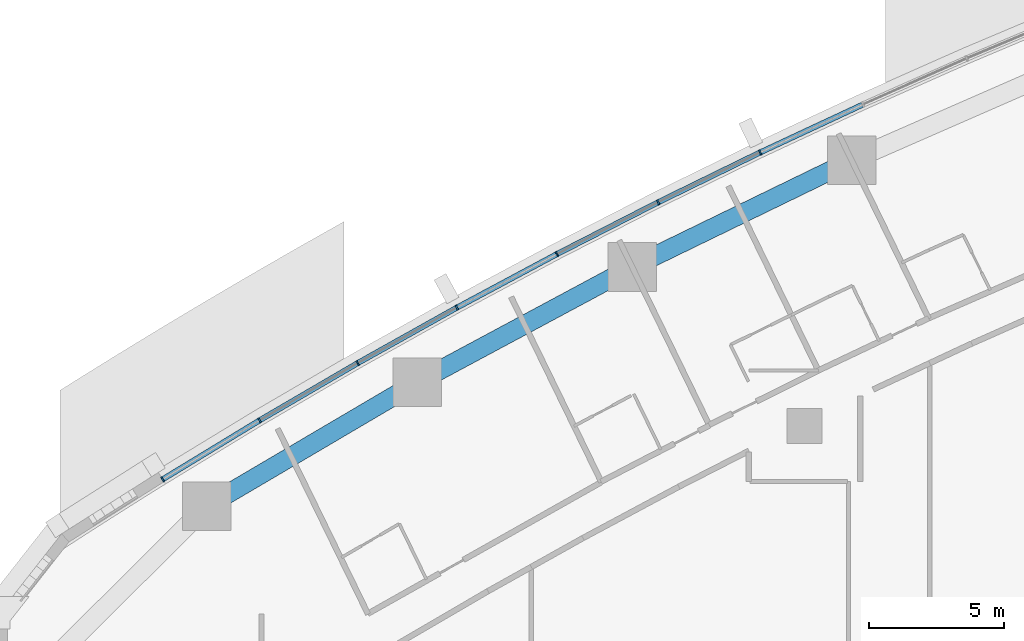
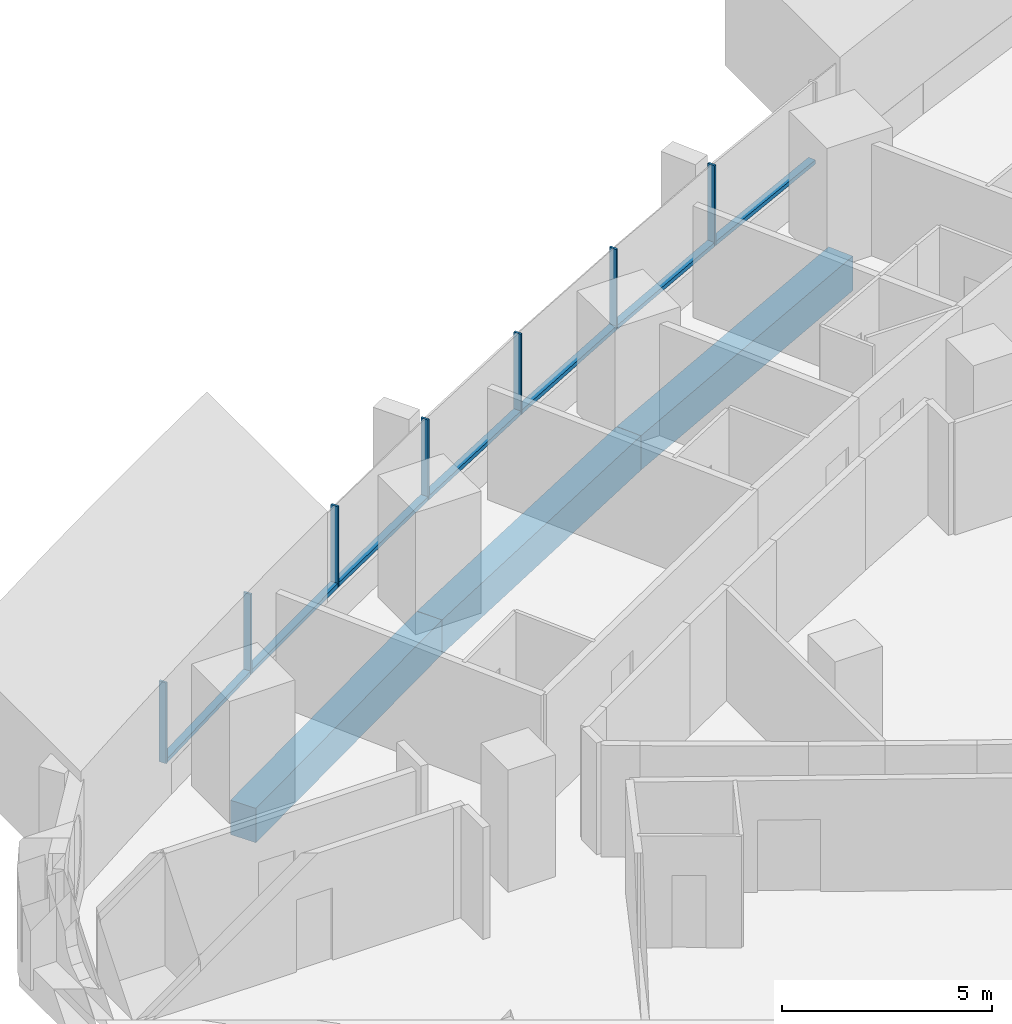
# One storey, part 5 of 19: 14 members, 3 beams, 3 elements without a shape of their own.
"""IFC4 building model written with IfcOpenShell, lengths in metres."""

from ifc_helpers import new_model, si_unit, direction, frame, origin, origin_2d, place, context, subcontext, project, spatial, rectangle, extrude, material, layer, layer_set, material_profile, profile_set, type_object, element, aggregate, save


model = new_model("IFC4")

# Units and contexts
model_context = context("Model", 3, precision=1e-05, world=origin(), true_north=direction((0.0, 1.0)))
body_context = subcontext(model_context, "Body", "Model", "MODEL_VIEW")
ifc_project = project(units=[si_unit("LENGTHUNIT", "METRE"), si_unit("AREAUNIT", "SQUARE_METRE"), si_unit("VOLUMEUNIT", "CUBIC_METRE"), si_unit("PLANEANGLEUNIT", "RADIAN"), si_unit("MASSUNIT", "GRAM", prefix="KILO")], contexts=[model_context])

# Site, building, storey
site_placement = place(None, origin())
site = spatial("IfcSite", under=ifc_project, at=site_placement, CompositionType="ELEMENT")
building_placement = place(site_placement, origin())
building = spatial("IfcBuilding", under=site, at=building_placement, Name="Ostrand Prow Hotel Tower", CompositionType="ELEMENT")
storey_placement = place(building_placement, frame((0.0, 0.0, 39.60009765625)))
storey = spatial("IfcBuildingStorey", under=building, at=storey_placement, Name="L07", CompositionType="ELEMENT", Elevation=39.60009765625)

# Beams
ifc_material_1 = material(Name="Concrete C80/95", Category="concrete")
ifc_material_profile_1 = material_profile(ifc_material_1, rectangle(XDim=0.699951171875, YDim=1.0, at=origin_2d()), Name="RC 700x1000")
ifc_profile_set_1 = profile_set([ifc_material_profile_1], Name="Concrete C80/95")
beam_type = type_object("IfcBeamType", Name="Edge beam 700x1000 C80/95", PredefinedType="SPANDREL", material=ifc_profile_set_1)
beam_1_placement = place(storey_placement, frame((35.7412109375, 18.814208984375, -0.800048828125), z_axis=(-0.899382499202, -0.437162578601, 0.0), x_axis=(0.437162578601, -0.899382499202, 0.0)))
element("IfcBeam", 1, at=beam_1_placement, inside=storey, type_object=beam_type, Name="Edge beam N3-N4", PredefinedType="SPANDREL", context=body_context, shape_type="SweptSolid", body=[
    extrude(rectangle(XDim=0.699951171875, YDim=1.0, at=origin_2d()), origin(), (0.0, 0.0, 1.0), 9.012451171875),
])
beam_2_placement = place(storey_placement, frame((27.635498046875, 14.874267578125, -0.800048828125), z_axis=(-0.881270074696, -0.472613008122, 0.0), x_axis=(0.472613008122, -0.881270074696, 0.0)))
element("IfcBeam", 2, at=beam_2_placement, inside=storey, type_object=beam_type, Name="Edge beam N4-N5", PredefinedType="SPANDREL", context=body_context, shape_type="SweptSolid", body=[
    extrude(rectangle(XDim=0.699951171875, YDim=1.0, at=origin_2d()), origin(), (0.0, 0.0, 1.0), 9.0126953125),
])
beam_3_placement = place(storey_placement, frame((19.69287109375, 10.61474609375, -0.800048828125), z_axis=(-0.861725230108, -0.507375233722, 0.0), x_axis=(0.507375233722, -0.861725230108, 0.0)))
element("IfcBeam", 3, at=beam_3_placement, inside=storey, type_object=beam_type, Name="Edge beam N5-N6", PredefinedType="SPANDREL", context=body_context, shape_type="SweptSolid", body=[
    extrude(rectangle(XDim=0.699951171875, YDim=1.0, at=origin_2d()), origin(), (0.0, 0.0, 1.0), 9.012451171875),
])

# Curtain wall, members
ifc_material_2 = material(Name="Insulated glass in bronze anodised frame", Category="glass")
ifc_layer = layer(ifc_material_2, 0.199951171875)
ifc_layer_set = layer_set([ifc_layer], Name="Insulated glass in bronze anodised frame")
curtain_wall_type = type_object("IfcCurtainWallType", Name="Strip curtain wall, fritted glass over bronze spandrel", PredefinedType="NOTDEFINED", material=ifc_layer_set)
curtain_wall_1_placement = place(storey_placement, origin())
curtain_wall_1 = element("IfcCurtainWall", 4, at=curtain_wall_1_placement, inside=storey, type_object=curtain_wall_type, Name="CW1 run CWN3", PredefinedType="NOTDEFINED")
ifc_material_3 = material(Name="Bronze anodised aluminium", Category="aluminium")
ifc_material_profile_2 = material_profile(ifc_material_3, rectangle(XDim=0.199951171875, YDim=0.06005859375, at=origin_2d()), Name="Mullion 60x200 bronze anodised aluminium")
ifc_profile_set_2 = profile_set([ifc_material_profile_2], Name="Bronze anodised aluminium")
member_type_1 = type_object("IfcMemberType", Name="Mullion 60x200 bronze anodised aluminium", PredefinedType="MULLION", material=ifc_profile_set_2)
member_1_placement = place(storey_placement, frame((32.360595703125, 19.10498046875, 0.89990234375), z_axis=(0.0, 0.0, 1.0), x_axis=(0.439138077204, -0.898419584131, 0.0)))
member_1 = element("IfcMember", 5, at=member_1_placement, type_object=member_type_1, Name="CW1 mullion 2", PredefinedType="MULLION", context=body_context, shape_type="SweptSolid", body=[
    extrude(rectangle(XDim=0.199951171875, YDim=0.06005859375, at=origin_2d()), origin(), (0.0, 0.0, 1.0), 2.35009765625),
])
member_2_placement = place(storey_placement, frame((28.59228515625, 17.262939453125, 0.89990234375), z_axis=(0.0, 0.0, 1.0), x_axis=(0.439138077204, -0.898419584131, 0.0)))
member_2 = element("IfcMember", 6, at=member_2_placement, type_object=member_type_1, Name="CW1 mullion 3", PredefinedType="MULLION", context=body_context, shape_type="SweptSolid", body=[
    extrude(rectangle(XDim=0.199951171875, YDim=0.06005859375, at=origin_2d()), origin(), (0.0, 0.0, 1.0), 2.35009765625),
])

curtain_wall_2_placement = place(storey_placement, origin())
curtain_wall_2 = element("IfcCurtainWall", 7, at=curtain_wall_2_placement, inside=storey, type_object=curtain_wall_type, Name="CW1 run CWN4", PredefinedType="NOTDEFINED")
member_3_placement = place(storey_placement, frame((24.858642578125, 15.35205078125, 0.89990234375), z_axis=(0.0, 0.0, 1.0), x_axis=(0.471899992481, -0.881652083929, 0.0)))
member_3 = element("IfcMember", 8, at=member_3_placement, type_object=member_type_1, Name="CW1 mullion 2", PredefinedType="MULLION", context=body_context, shape_type="SweptSolid", body=[
    extrude(rectangle(XDim=0.199951171875, YDim=0.06005859375, at=origin_2d()), origin(), (0.0, 0.0, 1.0), 2.35009765625),
])
member_4_placement = place(storey_placement, frame((21.160888671875, 13.372802734375, 0.89990234375), z_axis=(0.0, 0.0, 1.0), x_axis=(0.488043996167, -0.872819029241, 0.0)))
member_4 = element("IfcMember", 9, at=member_4_placement, type_object=member_type_1, Name="CW1 mullion 3", PredefinedType="MULLION", context=body_context, shape_type="SweptSolid", body=[
    extrude(rectangle(XDim=0.199951171875, YDim=0.06005859375, at=origin_2d()), origin(), (0.0, 0.0, 1.0), 2.35009765625),
])
member_5_placement = place(storey_placement, frame((17.5, 11.325927734375, 0.89990234375), z_axis=(0.0, 0.0, 1.0), x_axis=(0.488043996167, -0.872819029241, 0.0)))
member_5 = element("IfcMember", 10, at=member_5_placement, type_object=member_type_1, Name="CW1 mullion 4", PredefinedType="MULLION", context=body_context, shape_type="SweptSolid", body=[
    extrude(rectangle(XDim=0.199951171875, YDim=0.06005859375, at=origin_2d()), origin(), (0.0, 0.0, 1.0), 2.35009765625),
])

curtain_wall_3_placement = place(storey_placement, origin())
curtain_wall_3 = element("IfcCurtainWall", 11, at=curtain_wall_3_placement, inside=storey, type_object=curtain_wall_type, Name="CW1 run CWN5", PredefinedType="NOTDEFINED")
member_6_placement = place(storey_placement, frame((13.87744140625, 9.2119140625, 0.89990234375), z_axis=(0.0, 0.0, 1.0), x_axis=(0.519830761515, -0.854269266322, 0.0)))
member_6 = element("IfcMember", 12, at=member_6_placement, type_object=member_type_1, Name="CW1 mullion 2", PredefinedType="MULLION", context=body_context, shape_type="SweptSolid", body=[
    extrude(rectangle(XDim=0.199951171875, YDim=0.06005859375, at=origin_2d()), origin(), (0.0, 0.0, 1.0), 2.35009765625),
])
member_7_placement = place(storey_placement, frame((10.29443359375, 7.031494140625, 0.89990234375), z_axis=(0.0, 0.0, 1.0), x_axis=(0.519830761515, -0.854269266322, 0.0)))
member_7 = element("IfcMember", 13, at=member_7_placement, type_object=member_type_1, Name="CW1 mullion 3", PredefinedType="MULLION", context=body_context, shape_type="SweptSolid", body=[
    extrude(rectangle(XDim=0.199951171875, YDim=0.06005859375, at=origin_2d()), origin(), (0.0, 0.0, 1.0), 2.35009765625),
])

# Member
ifc_material_4 = material(Name="Bronze anodised aluminium", Category="aluminium")
ifc_material_profile_3 = material_profile(ifc_material_4, rectangle(XDim=0.199951171875, YDim=0.1201171875, at=origin_2d()), Name="Transom 120x200 bronze anodised aluminium")
ifc_profile_set_3 = profile_set([ifc_material_profile_3], Name="Bronze anodised aluminium")
member_type_2 = type_object("IfcMemberType", Name="Transom 120x200 bronze anodised aluminium", PredefinedType="USERDEFINED", material=ifc_profile_set_3)
member_8_placement = place(storey_placement, frame((36.135009765625, 20.864501953125, 0.9599609375), z_axis=(-0.906338458793, -0.422552479714, 0.0), x_axis=(0.422552479714, -0.906338458793, 0.0)))
member_8 = element("IfcMember", 14, at=member_8_placement, type_object=member_type_2, Name="CW1 transom 1.1", ObjectType="TRANSOM", PredefinedType="USERDEFINED", context=body_context, shape_type="SweptSolid", body=[
    extrude(rectangle(XDim=0.199951171875, YDim=0.1201171875, at=origin_2d()), origin(), (0.0, 0.0, 1.0), 4.134521484375),
])

member_9_placement = place(storey_placement, frame((32.33349609375, 19.091796875, 0.9599609375), z_axis=(-0.898395234758, -0.439187889364, 0.0), x_axis=(0.439187889364, -0.898395234758, 0.0)))
member_9 = element("IfcMember", 15, at=member_9_placement, type_object=member_type_2, Name="CW1 transom 2.1", ObjectType="TRANSOM", PredefinedType="USERDEFINED", context=body_context, shape_type="SweptSolid", body=[
    extrude(rectangle(XDim=0.199951171875, YDim=0.1201171875, at=origin_2d()), origin(), (0.0, 0.0, 1.0), 4.13427734375),
])

aggregate(curtain_wall_1, [member_1, member_2, member_8, member_9])

member_10_placement = place(storey_placement, frame((28.565673828125, 17.249267578125, 0.9599609375), z_axis=(-0.890182999343, -0.455603147136, 0.0), x_axis=(0.455603147136, -0.890182999343, 0.0)))
member_10 = element("IfcMember", 16, at=member_10_placement, type_object=member_type_2, Name="CW1 transom 1.1", ObjectType="TRANSOM", PredefinedType="USERDEFINED", context=body_context, shape_type="SweptSolid", body=[
    extrude(rectangle(XDim=0.199951171875, YDim=0.1201171875, at=origin_2d()), origin(), (0.0, 0.0, 1.0), 4.13427734375),
])

member_11_placement = place(storey_placement, frame((24.832275390625, 15.337890625, 0.9599609375), z_axis=(-0.881657241639, -0.471890356191, 0.0), x_axis=(0.471890356191, -0.881657241639, 0.0)))
member_11 = element("IfcMember", 17, at=member_11_placement, type_object=member_type_2, Name="CW1 transom 2.1", ObjectType="TRANSOM", PredefinedType="USERDEFINED", context=body_context, shape_type="SweptSolid", body=[
    extrude(rectangle(XDim=0.199951171875, YDim=0.1201171875, at=origin_2d()), origin(), (0.0, 0.0, 1.0), 4.13427734375),
])

member_12_placement = place(storey_placement, frame((21.134765625, 13.358154296875, 0.9599609375), z_axis=(-0.872842137405, -0.488002667175, 0.0), x_axis=(0.488002667175, -0.872842137405, 0.0)))
member_12 = element("IfcMember", 18, at=member_12_placement, type_object=member_type_2, Name="CW1 transom 3.1", ObjectType="TRANSOM", PredefinedType="USERDEFINED", context=body_context, shape_type="SweptSolid", body=[
    extrude(rectangle(XDim=0.199951171875, YDim=0.1201171875, at=origin_2d()), origin(), (0.0, 0.0, 1.0), 4.13427734375),
])

aggregate(curtain_wall_2, [member_3, member_4, member_5, member_10, member_11, member_12])

member_13_placement = place(storey_placement, frame((17.47412109375, 11.310791015625, 0.9599609375), z_axis=(-0.863697501622, -0.504010541251, 0.0), x_axis=(0.504010541251, -0.863697501622, 0.0)))
member_13 = element("IfcMember", 19, at=member_13_placement, type_object=member_type_2, Name="CW1 transom 1.1", ObjectType="TRANSOM", PredefinedType="USERDEFINED", context=body_context, shape_type="SweptSolid", body=[
    extrude(rectangle(XDim=0.199951171875, YDim=0.1201171875, at=origin_2d()), origin(), (0.0, 0.0, 1.0), 4.13427734375),
])

member_14_placement = place(storey_placement, frame((13.851806640625, 9.1962890625, 0.9599609375), z_axis=(-0.8542612678, -0.519843905741, 0.0), x_axis=(0.519843905741, -0.8542612678, 0.0)))
member_14 = element("IfcMember", 20, at=member_14_placement, type_object=member_type_2, Name="CW1 transom 2.1", ObjectType="TRANSOM", PredefinedType="USERDEFINED", context=body_context, shape_type="SweptSolid", body=[
    extrude(rectangle(XDim=0.199951171875, YDim=0.1201171875, at=origin_2d()), origin(), (0.0, 0.0, 1.0), 4.13427734375),
])

aggregate(curtain_wall_3, [member_6, member_7, member_13, member_14])

save(model, "model.ifc")
